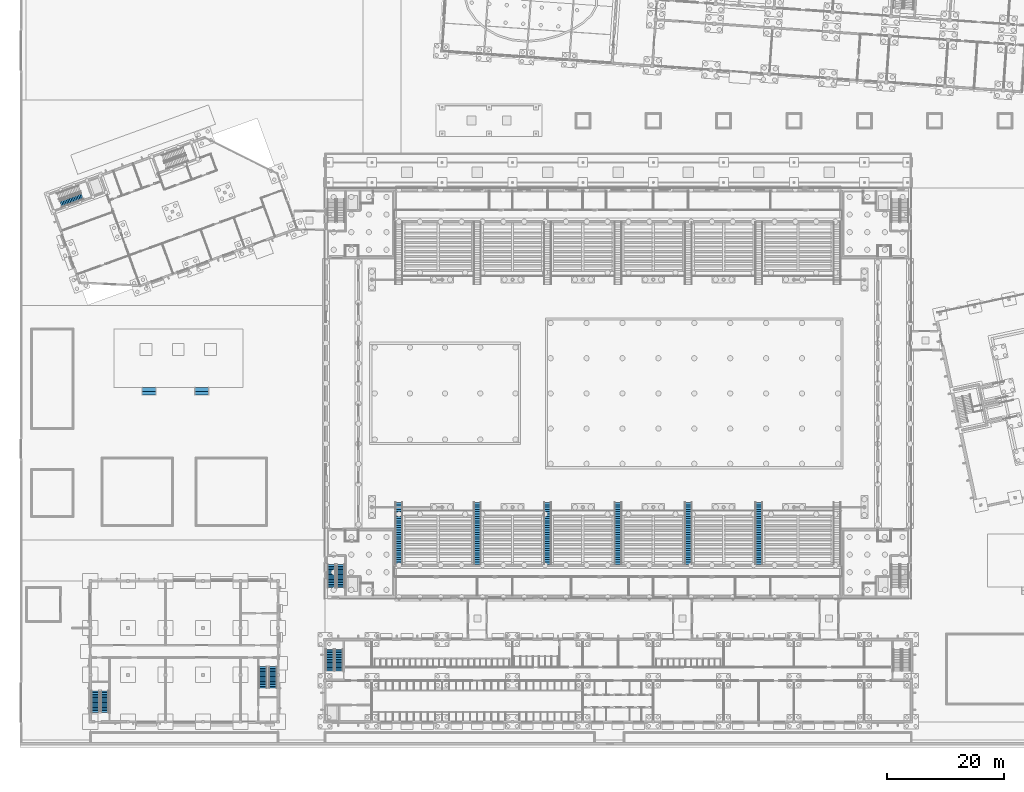
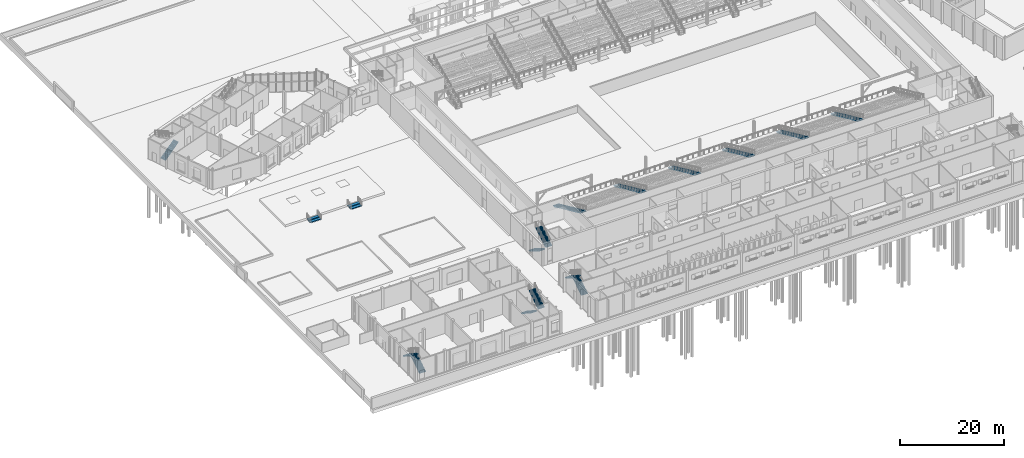
# One storey, part 112 of 157: 17 stair flights, 13 elements without a shape of their own.
"""IFC4 building model written with IfcOpenShell, lengths in metres."""

from ifc_helpers import new_model, si_unit, direction, frame, origin, place, context, subcontext, project, spatial, polyline, outline, extrude, material, type_object, element, aggregate, save


model = new_model("IFC4")

# Units and contexts
model_context = context("Model", 3, precision=1e-05, world=origin(), true_north=direction((0.0, 1.0)))
body_context = subcontext(model_context, "Body", "Model", "MODEL_VIEW")
ifc_project = project(units=[si_unit("LENGTHUNIT", "METRE"), si_unit("AREAUNIT", "SQUARE_METRE"), si_unit("VOLUMEUNIT", "CUBIC_METRE"), si_unit("PLANEANGLEUNIT", "RADIAN"), si_unit("MASSUNIT", "GRAM", prefix="KILO")], contexts=[model_context])

# Site, building, storey
site_placement = place(None, origin())
site = spatial("IfcSite", under=ifc_project, at=site_placement, CompositionType="ELEMENT")
building_placement = place(site_placement, origin())
building = spatial("IfcBuilding", under=site, at=building_placement, Name="Windward Yard Aquatics Centre", CompositionType="ELEMENT")
storey_placement = place(building_placement, origin())
storey = spatial("IfcBuildingStorey", under=building, at=storey_placement, Name="L00", CompositionType="ELEMENT", Elevation=0.0)

# Stair, stair flights
ifc_material_1 = material(Name="Concrete C35/45", Category="concrete")
stair_type_1 = type_object("IfcStairType", Name="C Village stair 1 dog-leg stair", PredefinedType="HALF_TURN_STAIR", material=ifc_material_1)
stair_1_placement = place(storey_placement, origin())
stair_1 = element("IfcStair", 1, at=stair_1_placement, inside=storey, type_object=stair_type_1, Name="L00 Village stair 1", PredefinedType="HALF_TURN_STAIR")
stair_flight_type_1 = type_object("IfcStairFlightType", Name="C Village stair 1 stair flight", PredefinedType="STRAIGHT", material=ifc_material_1)
stair_flight_1_placement = place(storey_placement, frame((54.39990234375, 13.699951171875, 0.0), z_axis=(0.0, 0.0, 1.0), x_axis=(0.0, 1.0, 0.0)))
stair_flight_1 = element("IfcStairFlight", 2, at=stair_flight_1_placement, type_object=stair_flight_type_1, Name="C-ST1 flight 1", NumberOfRisers=14, NumberOfTreads=13, PredefinedType="STRAIGHT", RiserHeight=0.178571429, TreadLength=0.28, context=body_context, shape_type="SweptSolid", body=[
    extrude(outline(polyline([(0.0, 0.0), (0.0, 0.178466796875), (0.280029296875, 0.178466796875), (0.280029296875, 0.357177734375), (0.56005859375, 0.357177734375), (0.56005859375, 0.53564453125), (0.840087890625, 0.53564453125), (0.840087890625, 0.71435546875), (1.1201171875, 0.71435546875), (1.1201171875, 0.892822265625), (1.39990234375, 0.892822265625), (1.39990234375, 1.071533203125), (1.679931640625, 1.071533203125), (1.679931640625, 1.25), (1.9599609375, 1.25), (1.9599609375, 1.428466796875), (2.239990234375, 1.428466796875), (2.239990234375, 1.607177734375), (2.52001953125, 1.607177734375), (2.52001953125, 1.78564453125), (2.800048828125, 1.78564453125), (2.800048828125, 1.96435546875), (3.080078125, 1.96435546875), (3.080078125, 2.142822265625), (3.360107421875, 2.142822265625), (3.360107421875, 2.321533203125), (3.639892578125, 2.321533203125), (3.639892578125, 2.5), (3.639892578125, 2.1435546875), (0.27880859375, 0.0), (0.0, 0.0)])), frame((0.0, 0.699951171875, 0.0), z_axis=(0.0, -1.0, 0.0), x_axis=(1.0, 0.0, 0.0)), (0.0, 0.0, 1.0), 1.39990234375),
])
stair_flight_2_placement = place(storey_placement, frame((52.85009765625, 17.340087890625, 2.5), z_axis=(0.0, 0.0, 1.0), x_axis=(0.0, -1.0, 0.0)))
stair_flight_2 = element("IfcStairFlight", 3, at=stair_flight_2_placement, type_object=stair_flight_type_1, Name="C-ST1 flight 2", NumberOfRisers=14, NumberOfTreads=13, PredefinedType="STRAIGHT", RiserHeight=0.178571429, TreadLength=0.28, context=body_context, shape_type="SweptSolid", body=[
    extrude(outline(polyline([(0.0, 0.0), (0.0, 0.178466796875), (0.280029296875, 0.178466796875), (0.280029296875, 0.357177734375), (0.56005859375, 0.357177734375), (0.56005859375, 0.53564453125), (0.840087890625, 0.53564453125), (0.840087890625, 0.71435546875), (1.1201171875, 0.71435546875), (1.1201171875, 0.892822265625), (1.39990234375, 0.892822265625), (1.39990234375, 1.071533203125), (1.679931640625, 1.071533203125), (1.679931640625, 1.25), (1.9599609375, 1.25), (1.9599609375, 1.428466796875), (2.239990234375, 1.428466796875), (2.239990234375, 1.607177734375), (2.52001953125, 1.607177734375), (2.52001953125, 1.78564453125), (2.800048828125, 1.78564453125), (2.800048828125, 1.96435546875), (3.080078125, 1.96435546875), (3.080078125, 2.142822265625), (3.360107421875, 2.142822265625), (3.360107421875, 2.321533203125), (3.639892578125, 2.321533203125), (3.639892578125, 2.5), (3.639892578125, 2.1435546875), (0.27880859375, 0.0), (0.0, 0.0)])), frame((0.0, 0.699951171875, 0.0), z_axis=(0.0, -1.0, 0.0), x_axis=(1.0, 0.0, 0.0)), (0.0, 0.0, 1.0), 1.39990234375),
])
aggregate(stair_1, [stair_flight_1, stair_flight_2])

# Stair, stair flight
ifc_material_2 = material(Name="Concrete C40/50", Category="concrete")
stair_type_2 = type_object("IfcStairType", Name="F stair 1200 half-turn Concrete C40/50", PredefinedType="HALF_TURN_STAIR", material=ifc_material_2)
stair_2_placement = place(storey_placement, origin())
stair_2 = element("IfcStair", 4, at=stair_2_placement, inside=storey, type_object=stair_type_2, Name="F.ST.L00.S1", PredefinedType="HALF_TURN_STAIR")
stair_flight_type_2 = type_object("IfcStairFlightType", Name="F stair flight 1200 Concrete C40/50", PredefinedType="STRAIGHT", material=ifc_material_2)
stair_flight_3_placement = place(storey_placement, frame((6.960205078125, 93.291015625, 0.0), z_axis=(0.0, 0.0, 1.0), x_axis=(0.939692620786, 0.342020143326, 0.0)))
stair_flight_3 = element("IfcStairFlight", 5, at=stair_flight_3_placement, type_object=stair_flight_type_2, Name="FS1 flight 1", NumberOfRisers=15, NumberOfTreads=14, PredefinedType="STRAIGHT", RiserHeight=0.166666667, TreadLength=0.28, context=body_context, shape_type="SweptSolid", body=[
    extrude(outline(polyline([(0.0, 0.0), (0.0, 0.166748046875), (0.280029296875, 0.166748046875), (0.280029296875, 0.333251953125), (0.56005859375, 0.333251953125), (0.56005859375, 0.5), (0.840087890625, 0.5), (0.840087890625, 0.666748046875), (1.1201171875, 0.666748046875), (1.1201171875, 0.833251953125), (1.39990234375, 0.833251953125), (1.39990234375, 1.0), (1.679931640625, 1.0), (1.679931640625, 1.166748046875), (1.9599609375, 1.166748046875), (1.9599609375, 1.333251953125), (2.239990234375, 1.333251953125), (2.239990234375, 1.5), (2.52001953125, 1.5), (2.52001953125, 1.666748046875), (2.800048828125, 1.666748046875), (2.800048828125, 1.833251953125), (3.080078125, 1.833251953125), (3.080078125, 2.0), (3.360107421875, 2.0), (3.360107421875, 2.166748046875), (3.639892578125, 2.166748046875), (3.639892578125, 2.333251953125), (3.919921875, 2.333251953125), (3.919921875, 2.5), (3.919921875, 2.158935546875), (0.29296875, 0.0), (0.0, 0.0)])), frame((0.0, 0.60009765625, 0.0), z_axis=(0.0, -1.0, 0.0), x_axis=(1.0, 0.0, 0.0)), (0.0, 0.0, 1.0), 1.199951171875),
])
aggregate(stair_2, [stair_flight_3])

stair_type_3 = type_object("IfcStairType", Name="H Aisle Stair Concrete C35/45 1250", PredefinedType="STRAIGHT_RUN_STAIR", material=ifc_material_1)
stair_3_placement = place(storey_placement, origin())
stair_3 = element("IfcStair", 6, at=stair_3_placement, inside=storey, type_object=stair_type_3, Name="Vomitory stair S1", PredefinedType="STRAIGHT_RUN_STAIR")
stair_flight_type_3 = type_object("IfcStairFlightType", Name="H Aisle Stair Flight Concrete C35/45 1250", PredefinedType="STRAIGHT", material=ifc_material_1)
stair_flight_4_placement = place(storey_placement, frame((64.625, 42.3896484375, 0.0), z_axis=(0.0, 0.0, 1.0), x_axis=(0.0, -1.0, 0.0)))
stair_flight_4 = element("IfcStairFlight", 7, at=stair_flight_4_placement, type_object=stair_flight_type_3, Name="ASS1 flight 1", NumberOfRisers=28, NumberOfTreads=27, PredefinedType="STRAIGHT", RiserHeight=0.178571429, TreadLength=0.39, context=body_context, shape_type="SweptSolid", body=[
    extrude(outline(polyline([(0.0, 0.0), (0.0, 0.178466796875), (0.389892578125, 0.178466796875), (0.389892578125, 0.357177734375), (0.780029296875, 0.357177734375), (0.780029296875, 0.53564453125), (1.169921875, 0.53564453125), (1.169921875, 0.71435546875), (1.56005859375, 0.71435546875), (1.56005859375, 0.892822265625), (1.949951171875, 0.892822265625), (1.949951171875, 1.071533203125), (2.340087890625, 1.071533203125), (2.340087890625, 1.25), (2.72998046875, 1.25), (2.72998046875, 1.428466796875), (3.1201171875, 1.428466796875), (3.1201171875, 1.607177734375), (3.510009765625, 1.607177734375), (3.510009765625, 1.78564453125), (3.89990234375, 1.78564453125), (3.89990234375, 1.96435546875), (4.2900390625, 1.96435546875), (4.2900390625, 2.142822265625), (4.679931640625, 2.142822265625), (4.679931640625, 2.321533203125), (5.070068359375, 2.321533203125), (5.070068359375, 2.5), (5.4599609375, 2.5), (5.4599609375, 2.678466796875), (5.85009765625, 2.678466796875), (5.85009765625, 2.857177734375), (6.239990234375, 2.857177734375), (6.239990234375, 3.03564453125), (6.6298828125, 3.03564453125), (6.6298828125, 3.21435546875), (7.02001953125, 3.21435546875), (7.02001953125, 3.392822265625), (7.409912109375, 3.392822265625), (7.409912109375, 3.571533203125), (7.800048828125, 3.571533203125), (7.800048828125, 3.75), (8.18994140625, 3.75), (8.18994140625, 3.928466796875), (8.580078125, 3.928466796875), (8.580078125, 4.107177734375), (8.969970703125, 4.107177734375), (8.969970703125, 4.28564453125), (9.360107421875, 4.28564453125), (9.360107421875, 4.46435546875), (9.75, 4.46435546875), (9.75, 4.642822265625), (10.139892578125, 4.642822265625), (10.139892578125, 4.821533203125), (10.530029296875, 4.821533203125), (10.530029296875, 5.0), (10.530029296875, 4.6015625), (0.480224609375, 0.0), (0.0, 0.0)])), frame((0.0, 0.625, 0.0), z_axis=(0.0, -1.0, 0.0), x_axis=(1.0, 0.0, 0.0)), (0.0, 0.0, 1.0), 1.25),
])
aggregate(stair_3, [stair_flight_4])

stair_4_placement = place(storey_placement, origin())
stair_4 = element("IfcStair", 8, at=stair_4_placement, inside=storey, type_object=stair_type_3, Name="Vomitory stair S2", PredefinedType="STRAIGHT_RUN_STAIR")
stair_flight_5_placement = place(storey_placement, frame((78.0, 42.3896484375, 0.0), z_axis=(0.0, 0.0, 1.0), x_axis=(0.0, -1.0, 0.0)))
stair_flight_5 = element("IfcStairFlight", 9, at=stair_flight_5_placement, type_object=stair_flight_type_3, Name="ASS2 flight 1", NumberOfRisers=28, NumberOfTreads=27, PredefinedType="STRAIGHT", RiserHeight=0.178571429, TreadLength=0.39, context=body_context, shape_type="SweptSolid", body=[
    extrude(outline(polyline([(0.0, 0.0), (0.0, 0.178466796875), (0.389892578125, 0.178466796875), (0.389892578125, 0.357177734375), (0.780029296875, 0.357177734375), (0.780029296875, 0.53564453125), (1.169921875, 0.53564453125), (1.169921875, 0.71435546875), (1.56005859375, 0.71435546875), (1.56005859375, 0.892822265625), (1.949951171875, 0.892822265625), (1.949951171875, 1.071533203125), (2.340087890625, 1.071533203125), (2.340087890625, 1.25), (2.72998046875, 1.25), (2.72998046875, 1.428466796875), (3.1201171875, 1.428466796875), (3.1201171875, 1.607177734375), (3.510009765625, 1.607177734375), (3.510009765625, 1.78564453125), (3.89990234375, 1.78564453125), (3.89990234375, 1.96435546875), (4.2900390625, 1.96435546875), (4.2900390625, 2.142822265625), (4.679931640625, 2.142822265625), (4.679931640625, 2.321533203125), (5.070068359375, 2.321533203125), (5.070068359375, 2.5), (5.4599609375, 2.5), (5.4599609375, 2.678466796875), (5.85009765625, 2.678466796875), (5.85009765625, 2.857177734375), (6.239990234375, 2.857177734375), (6.239990234375, 3.03564453125), (6.6298828125, 3.03564453125), (6.6298828125, 3.21435546875), (7.02001953125, 3.21435546875), (7.02001953125, 3.392822265625), (7.409912109375, 3.392822265625), (7.409912109375, 3.571533203125), (7.800048828125, 3.571533203125), (7.800048828125, 3.75), (8.18994140625, 3.75), (8.18994140625, 3.928466796875), (8.580078125, 3.928466796875), (8.580078125, 4.107177734375), (8.969970703125, 4.107177734375), (8.969970703125, 4.28564453125), (9.360107421875, 4.28564453125), (9.360107421875, 4.46435546875), (9.75, 4.46435546875), (9.75, 4.642822265625), (10.139892578125, 4.642822265625), (10.139892578125, 4.821533203125), (10.530029296875, 4.821533203125), (10.530029296875, 5.0), (10.530029296875, 4.6015625), (0.480224609375, 0.0), (0.0, 0.0)])), frame((0.0, 0.625, 0.0), z_axis=(0.0, -1.0, 0.0), x_axis=(1.0, 0.0, 0.0)), (0.0, 0.0, 1.0), 1.25),
])
aggregate(stair_4, [stair_flight_5])

stair_5_placement = place(storey_placement, origin())
stair_5 = element("IfcStair", 10, at=stair_5_placement, inside=storey, type_object=stair_type_3, Name="Vomitory stair S3", PredefinedType="STRAIGHT_RUN_STAIR")
stair_flight_6_placement = place(storey_placement, frame((90.0, 42.3896484375, 0.0), z_axis=(0.0, 0.0, 1.0), x_axis=(0.0, -1.0, 0.0)))
stair_flight_6 = element("IfcStairFlight", 11, at=stair_flight_6_placement, type_object=stair_flight_type_3, Name="ASS3 flight 1", NumberOfRisers=28, NumberOfTreads=27, PredefinedType="STRAIGHT", RiserHeight=0.178571429, TreadLength=0.39, context=body_context, shape_type="SweptSolid", body=[
    extrude(outline(polyline([(0.0, 0.0), (0.0, 0.178466796875), (0.389892578125, 0.178466796875), (0.389892578125, 0.357177734375), (0.780029296875, 0.357177734375), (0.780029296875, 0.53564453125), (1.169921875, 0.53564453125), (1.169921875, 0.71435546875), (1.56005859375, 0.71435546875), (1.56005859375, 0.892822265625), (1.949951171875, 0.892822265625), (1.949951171875, 1.071533203125), (2.340087890625, 1.071533203125), (2.340087890625, 1.25), (2.72998046875, 1.25), (2.72998046875, 1.428466796875), (3.1201171875, 1.428466796875), (3.1201171875, 1.607177734375), (3.510009765625, 1.607177734375), (3.510009765625, 1.78564453125), (3.89990234375, 1.78564453125), (3.89990234375, 1.96435546875), (4.2900390625, 1.96435546875), (4.2900390625, 2.142822265625), (4.679931640625, 2.142822265625), (4.679931640625, 2.321533203125), (5.070068359375, 2.321533203125), (5.070068359375, 2.5), (5.4599609375, 2.5), (5.4599609375, 2.678466796875), (5.85009765625, 2.678466796875), (5.85009765625, 2.857177734375), (6.239990234375, 2.857177734375), (6.239990234375, 3.03564453125), (6.6298828125, 3.03564453125), (6.6298828125, 3.21435546875), (7.02001953125, 3.21435546875), (7.02001953125, 3.392822265625), (7.409912109375, 3.392822265625), (7.409912109375, 3.571533203125), (7.800048828125, 3.571533203125), (7.800048828125, 3.75), (8.18994140625, 3.75), (8.18994140625, 3.928466796875), (8.580078125, 3.928466796875), (8.580078125, 4.107177734375), (8.969970703125, 4.107177734375), (8.969970703125, 4.28564453125), (9.360107421875, 4.28564453125), (9.360107421875, 4.46435546875), (9.75, 4.46435546875), (9.75, 4.642822265625), (10.139892578125, 4.642822265625), (10.139892578125, 4.821533203125), (10.530029296875, 4.821533203125), (10.530029296875, 5.0), (10.530029296875, 4.6015625), (0.480224609375, 0.0), (0.0, 0.0)])), frame((0.0, 0.625, 0.0), z_axis=(0.0, -1.0, 0.0), x_axis=(1.0, 0.0, 0.0)), (0.0, 0.0, 1.0), 1.25),
])
aggregate(stair_5, [stair_flight_6])

stair_6_placement = place(storey_placement, origin())
stair_6 = element("IfcStair", 12, at=stair_6_placement, inside=storey, type_object=stair_type_3, Name="Vomitory stair S4", PredefinedType="STRAIGHT_RUN_STAIR")
stair_flight_7_placement = place(storey_placement, frame((102.0, 42.3896484375, 0.0), z_axis=(0.0, 0.0, 1.0), x_axis=(0.0, -1.0, 0.0)))
stair_flight_7 = element("IfcStairFlight", 13, at=stair_flight_7_placement, type_object=stair_flight_type_3, Name="ASS4 flight 1", NumberOfRisers=28, NumberOfTreads=27, PredefinedType="STRAIGHT", RiserHeight=0.178571429, TreadLength=0.39, context=body_context, shape_type="SweptSolid", body=[
    extrude(outline(polyline([(0.0, 0.0), (0.0, 0.178466796875), (0.389892578125, 0.178466796875), (0.389892578125, 0.357177734375), (0.780029296875, 0.357177734375), (0.780029296875, 0.53564453125), (1.169921875, 0.53564453125), (1.169921875, 0.71435546875), (1.56005859375, 0.71435546875), (1.56005859375, 0.892822265625), (1.949951171875, 0.892822265625), (1.949951171875, 1.071533203125), (2.340087890625, 1.071533203125), (2.340087890625, 1.25), (2.72998046875, 1.25), (2.72998046875, 1.428466796875), (3.1201171875, 1.428466796875), (3.1201171875, 1.607177734375), (3.510009765625, 1.607177734375), (3.510009765625, 1.78564453125), (3.89990234375, 1.78564453125), (3.89990234375, 1.96435546875), (4.2900390625, 1.96435546875), (4.2900390625, 2.142822265625), (4.679931640625, 2.142822265625), (4.679931640625, 2.321533203125), (5.070068359375, 2.321533203125), (5.070068359375, 2.5), (5.4599609375, 2.5), (5.4599609375, 2.678466796875), (5.85009765625, 2.678466796875), (5.85009765625, 2.857177734375), (6.239990234375, 2.857177734375), (6.239990234375, 3.03564453125), (6.6298828125, 3.03564453125), (6.6298828125, 3.21435546875), (7.02001953125, 3.21435546875), (7.02001953125, 3.392822265625), (7.409912109375, 3.392822265625), (7.409912109375, 3.571533203125), (7.800048828125, 3.571533203125), (7.800048828125, 3.75), (8.18994140625, 3.75), (8.18994140625, 3.928466796875), (8.580078125, 3.928466796875), (8.580078125, 4.107177734375), (8.969970703125, 4.107177734375), (8.969970703125, 4.28564453125), (9.360107421875, 4.28564453125), (9.360107421875, 4.46435546875), (9.75, 4.46435546875), (9.75, 4.642822265625), (10.139892578125, 4.642822265625), (10.139892578125, 4.821533203125), (10.530029296875, 4.821533203125), (10.530029296875, 5.0), (10.530029296875, 4.6015625), (0.480224609375, 0.0), (0.0, 0.0)])), frame((0.0, 0.625, 0.0), z_axis=(0.0, -1.0, 0.0), x_axis=(1.0, 0.0, 0.0)), (0.0, 0.0, 1.0), 1.25),
])
aggregate(stair_6, [stair_flight_7])

stair_7_placement = place(storey_placement, origin())
stair_7 = element("IfcStair", 14, at=stair_7_placement, inside=storey, type_object=stair_type_3, Name="Vomitory stair S5", PredefinedType="STRAIGHT_RUN_STAIR")
stair_flight_8_placement = place(storey_placement, frame((114.0, 42.3896484375, 0.0), z_axis=(0.0, 0.0, 1.0), x_axis=(0.0, -1.0, 0.0)))
stair_flight_8 = element("IfcStairFlight", 15, at=stair_flight_8_placement, type_object=stair_flight_type_3, Name="ASS5 flight 1", NumberOfRisers=28, NumberOfTreads=27, PredefinedType="STRAIGHT", RiserHeight=0.178571429, TreadLength=0.39, context=body_context, shape_type="SweptSolid", body=[
    extrude(outline(polyline([(0.0, 0.0), (0.0, 0.178466796875), (0.389892578125, 0.178466796875), (0.389892578125, 0.357177734375), (0.780029296875, 0.357177734375), (0.780029296875, 0.53564453125), (1.169921875, 0.53564453125), (1.169921875, 0.71435546875), (1.56005859375, 0.71435546875), (1.56005859375, 0.892822265625), (1.949951171875, 0.892822265625), (1.949951171875, 1.071533203125), (2.340087890625, 1.071533203125), (2.340087890625, 1.25), (2.72998046875, 1.25), (2.72998046875, 1.428466796875), (3.1201171875, 1.428466796875), (3.1201171875, 1.607177734375), (3.510009765625, 1.607177734375), (3.510009765625, 1.78564453125), (3.89990234375, 1.78564453125), (3.89990234375, 1.96435546875), (4.2900390625, 1.96435546875), (4.2900390625, 2.142822265625), (4.679931640625, 2.142822265625), (4.679931640625, 2.321533203125), (5.070068359375, 2.321533203125), (5.070068359375, 2.5), (5.4599609375, 2.5), (5.4599609375, 2.678466796875), (5.85009765625, 2.678466796875), (5.85009765625, 2.857177734375), (6.239990234375, 2.857177734375), (6.239990234375, 3.03564453125), (6.6298828125, 3.03564453125), (6.6298828125, 3.21435546875), (7.02001953125, 3.21435546875), (7.02001953125, 3.392822265625), (7.409912109375, 3.392822265625), (7.409912109375, 3.571533203125), (7.800048828125, 3.571533203125), (7.800048828125, 3.75), (8.18994140625, 3.75), (8.18994140625, 3.928466796875), (8.580078125, 3.928466796875), (8.580078125, 4.107177734375), (8.969970703125, 4.107177734375), (8.969970703125, 4.28564453125), (9.360107421875, 4.28564453125), (9.360107421875, 4.46435546875), (9.75, 4.46435546875), (9.75, 4.642822265625), (10.139892578125, 4.642822265625), (10.139892578125, 4.821533203125), (10.530029296875, 4.821533203125), (10.530029296875, 5.0), (10.530029296875, 4.6015625), (0.480224609375, 0.0), (0.0, 0.0)])), frame((0.0, 0.625, 0.0), z_axis=(0.0, -1.0, 0.0), x_axis=(1.0, 0.0, 0.0)), (0.0, 0.0, 1.0), 1.25),
])
aggregate(stair_7, [stair_flight_8])

stair_8_placement = place(storey_placement, origin())
stair_8 = element("IfcStair", 16, at=stair_8_placement, inside=storey, type_object=stair_type_3, Name="Vomitory stair S6", PredefinedType="STRAIGHT_RUN_STAIR")
stair_flight_9_placement = place(storey_placement, frame((126.0, 42.3896484375, 0.0), z_axis=(0.0, 0.0, 1.0), x_axis=(0.0, -1.0, 0.0)))
stair_flight_9 = element("IfcStairFlight", 17, at=stair_flight_9_placement, type_object=stair_flight_type_3, Name="ASS6 flight 1", NumberOfRisers=28, NumberOfTreads=27, PredefinedType="STRAIGHT", RiserHeight=0.178571429, TreadLength=0.39, context=body_context, shape_type="SweptSolid", body=[
    extrude(outline(polyline([(0.0, 0.0), (0.0, 0.178466796875), (0.389892578125, 0.178466796875), (0.389892578125, 0.357177734375), (0.780029296875, 0.357177734375), (0.780029296875, 0.53564453125), (1.169921875, 0.53564453125), (1.169921875, 0.71435546875), (1.56005859375, 0.71435546875), (1.56005859375, 0.892822265625), (1.949951171875, 0.892822265625), (1.949951171875, 1.071533203125), (2.340087890625, 1.071533203125), (2.340087890625, 1.25), (2.72998046875, 1.25), (2.72998046875, 1.428466796875), (3.1201171875, 1.428466796875), (3.1201171875, 1.607177734375), (3.510009765625, 1.607177734375), (3.510009765625, 1.78564453125), (3.89990234375, 1.78564453125), (3.89990234375, 1.96435546875), (4.2900390625, 1.96435546875), (4.2900390625, 2.142822265625), (4.679931640625, 2.142822265625), (4.679931640625, 2.321533203125), (5.070068359375, 2.321533203125), (5.070068359375, 2.5), (5.4599609375, 2.5), (5.4599609375, 2.678466796875), (5.85009765625, 2.678466796875), (5.85009765625, 2.857177734375), (6.239990234375, 2.857177734375), (6.239990234375, 3.03564453125), (6.6298828125, 3.03564453125), (6.6298828125, 3.21435546875), (7.02001953125, 3.21435546875), (7.02001953125, 3.392822265625), (7.409912109375, 3.392822265625), (7.409912109375, 3.571533203125), (7.800048828125, 3.571533203125), (7.800048828125, 3.75), (8.18994140625, 3.75), (8.18994140625, 3.928466796875), (8.580078125, 3.928466796875), (8.580078125, 4.107177734375), (8.969970703125, 4.107177734375), (8.969970703125, 4.28564453125), (9.360107421875, 4.28564453125), (9.360107421875, 4.46435546875), (9.75, 4.46435546875), (9.75, 4.642822265625), (10.139892578125, 4.642822265625), (10.139892578125, 4.821533203125), (10.530029296875, 4.821533203125), (10.530029296875, 5.0), (10.530029296875, 4.6015625), (0.480224609375, 0.0), (0.0, 0.0)])), frame((0.0, 0.625, 0.0), z_axis=(0.0, -1.0, 0.0), x_axis=(1.0, 0.0, 0.0)), (0.0, 0.0, 1.0), 1.25),
])
aggregate(stair_8, [stair_flight_9])

# Stair, stair flights
stair_type_4 = type_object("IfcStairType", Name="H Core Stair Concrete C35/45 1400", PredefinedType="HALF_TURN_STAIR", material=ifc_material_1)
stair_9_placement = place(storey_placement, origin())
stair_9 = element("IfcStair", 18, at=stair_9_placement, inside=storey, type_object=stair_type_4, Name="L00 Stair SW", PredefinedType="HALF_TURN_STAIR")
stair_flight_type_4 = type_object("IfcStairFlightType", Name="H Core Stair Flight Concrete C35/45 1400", PredefinedType="STRAIGHT", material=ifc_material_1)
stair_flight_10_placement = place(storey_placement, frame((53.14990234375, 31.800048828125, 0.0), z_axis=(0.0, 0.0, 1.0), x_axis=(0.0, -1.0, 0.0)))
stair_flight_10 = element("IfcStairFlight", 19, at=stair_flight_10_placement, type_object=stair_flight_type_4, Name="ST1 flight 1", NumberOfRisers=15, NumberOfTreads=14, PredefinedType="STRAIGHT", RiserHeight=0.166666667, TreadLength=0.28, context=body_context, shape_type="SweptSolid", body=[
    extrude(outline(polyline([(0.0, 0.0), (0.0, 0.166748046875), (0.280029296875, 0.166748046875), (0.280029296875, 0.333251953125), (0.56005859375, 0.333251953125), (0.56005859375, 0.5), (0.840087890625, 0.5), (0.840087890625, 0.666748046875), (1.1201171875, 0.666748046875), (1.1201171875, 0.833251953125), (1.39990234375, 0.833251953125), (1.39990234375, 1.0), (1.679931640625, 1.0), (1.679931640625, 1.166748046875), (1.9599609375, 1.166748046875), (1.9599609375, 1.333251953125), (2.239990234375, 1.333251953125), (2.239990234375, 1.5), (2.52001953125, 1.5), (2.52001953125, 1.666748046875), (2.800048828125, 1.666748046875), (2.800048828125, 1.833251953125), (3.080078125, 1.833251953125), (3.080078125, 2.0), (3.360107421875, 2.0), (3.360107421875, 2.166748046875), (3.639892578125, 2.166748046875), (3.639892578125, 2.333251953125), (3.919921875, 2.333251953125), (3.919921875, 2.5), (3.919921875, 2.158935546875), (0.29296875, 0.0), (0.0, 0.0)])), frame((0.0, 0.699951171875, 0.0), z_axis=(0.0, -1.0, 0.0), x_axis=(1.0, 0.0, 0.0)), (0.0, 0.0, 1.0), 1.39990234375),
])
stair_flight_11_placement = place(storey_placement, frame((54.699951171875, 27.8798828125, 2.5), z_axis=(0.0, 0.0, 1.0), x_axis=(0.0, 1.0, 0.0)))
stair_flight_11 = element("IfcStairFlight", 20, at=stair_flight_11_placement, type_object=stair_flight_type_4, Name="ST1 flight 2", NumberOfRisers=15, NumberOfTreads=14, PredefinedType="STRAIGHT", RiserHeight=0.166666667, TreadLength=0.28, context=body_context, shape_type="SweptSolid", body=[
    extrude(outline(polyline([(0.0, 0.0), (0.0, 0.166748046875), (0.280029296875, 0.166748046875), (0.280029296875, 0.333251953125), (0.56005859375, 0.333251953125), (0.56005859375, 0.5), (0.840087890625, 0.5), (0.840087890625, 0.666748046875), (1.1201171875, 0.666748046875), (1.1201171875, 0.833251953125), (1.39990234375, 0.833251953125), (1.39990234375, 1.0), (1.679931640625, 1.0), (1.679931640625, 1.166748046875), (1.9599609375, 1.166748046875), (1.9599609375, 1.333251953125), (2.239990234375, 1.333251953125), (2.239990234375, 1.5), (2.52001953125, 1.5), (2.52001953125, 1.666748046875), (2.800048828125, 1.666748046875), (2.800048828125, 1.833251953125), (3.080078125, 1.833251953125), (3.080078125, 2.0), (3.360107421875, 2.0), (3.360107421875, 2.166748046875), (3.639892578125, 2.166748046875), (3.639892578125, 2.333251953125), (3.919921875, 2.333251953125), (3.919921875, 2.5), (3.919921875, 2.158935546875), (0.29296875, 0.0), (0.0, 0.0)])), frame((0.0, 0.699951171875, 0.0), z_axis=(0.0, -1.0, 0.0), x_axis=(1.0, 0.0, 0.0)), (0.0, 0.0, 1.0), 1.39990234375),
])
aggregate(stair_9, [stair_flight_10, stair_flight_11])

stair_type_5 = type_object("IfcStairType", Name="P Plant stair 1 dog-leg stair", PredefinedType="HALF_TURN_STAIR", material=ifc_material_1)
stair_10_placement = place(storey_placement, origin())
stair_10 = element("IfcStair", 21, at=stair_10_placement, inside=storey, type_object=stair_type_5, Name="L00 Plant stair 1", PredefinedType="HALF_TURN_STAIR")
stair_flight_type_5 = type_object("IfcStairFlightType", Name="P Plant stair 1 stair flight", PredefinedType="STRAIGHT", material=ifc_material_1)
stair_flight_12_placement = place(storey_placement, frame((14.449951171875, 6.60009765625, 0.0), z_axis=(0.0, 0.0, 1.0), x_axis=(0.0, 1.0, 0.0)))
stair_flight_12 = element("IfcStairFlight", 22, at=stair_flight_12_placement, type_object=stair_flight_type_5, Name="P-ST1 flight 1", NumberOfRisers=14, NumberOfTreads=13, PredefinedType="STRAIGHT", RiserHeight=0.178571429, TreadLength=0.28, context=body_context, shape_type="SweptSolid", body=[
    extrude(outline(polyline([(0.0, 0.0), (0.0, 0.178466796875), (0.280029296875, 0.178466796875), (0.280029296875, 0.357177734375), (0.56005859375, 0.357177734375), (0.56005859375, 0.53564453125), (0.840087890625, 0.53564453125), (0.840087890625, 0.71435546875), (1.1201171875, 0.71435546875), (1.1201171875, 0.892822265625), (1.39990234375, 0.892822265625), (1.39990234375, 1.071533203125), (1.679931640625, 1.071533203125), (1.679931640625, 1.25), (1.9599609375, 1.25), (1.9599609375, 1.428466796875), (2.239990234375, 1.428466796875), (2.239990234375, 1.607177734375), (2.52001953125, 1.607177734375), (2.52001953125, 1.78564453125), (2.800048828125, 1.78564453125), (2.800048828125, 1.96435546875), (3.080078125, 1.96435546875), (3.080078125, 2.142822265625), (3.360107421875, 2.142822265625), (3.360107421875, 2.321533203125), (3.639892578125, 2.321533203125), (3.639892578125, 2.5), (3.639892578125, 2.1435546875), (0.27880859375, 0.0), (0.0, 0.0)])), frame((0.0, 0.699951171875, 0.0), z_axis=(0.0, -1.0, 0.0), x_axis=(1.0, 0.0, 0.0)), (0.0, 0.0, 1.0), 1.39990234375),
])
stair_flight_13_placement = place(storey_placement, frame((12.85009765625, 10.239990234375, 2.5), z_axis=(0.0, 0.0, 1.0), x_axis=(0.0, -1.0, 0.0)))
stair_flight_13 = element("IfcStairFlight", 23, at=stair_flight_13_placement, type_object=stair_flight_type_5, Name="P-ST1 flight 2", NumberOfRisers=14, NumberOfTreads=13, PredefinedType="STRAIGHT", RiserHeight=0.178571429, TreadLength=0.28, context=body_context, shape_type="SweptSolid", body=[
    extrude(outline(polyline([(0.0, 0.0), (0.0, 0.178466796875), (0.280029296875, 0.178466796875), (0.280029296875, 0.357177734375), (0.56005859375, 0.357177734375), (0.56005859375, 0.53564453125), (0.840087890625, 0.53564453125), (0.840087890625, 0.71435546875), (1.1201171875, 0.71435546875), (1.1201171875, 0.892822265625), (1.39990234375, 0.892822265625), (1.39990234375, 1.071533203125), (1.679931640625, 1.071533203125), (1.679931640625, 1.25), (1.9599609375, 1.25), (1.9599609375, 1.428466796875), (2.239990234375, 1.428466796875), (2.239990234375, 1.607177734375), (2.52001953125, 1.607177734375), (2.52001953125, 1.78564453125), (2.800048828125, 1.78564453125), (2.800048828125, 1.96435546875), (3.080078125, 1.96435546875), (3.080078125, 2.142822265625), (3.360107421875, 2.142822265625), (3.360107421875, 2.321533203125), (3.639892578125, 2.321533203125), (3.639892578125, 2.5), (3.639892578125, 2.1435546875), (0.27880859375, 0.0), (0.0, 0.0)])), frame((0.0, 0.699951171875, 0.0), z_axis=(0.0, -1.0, 0.0), x_axis=(1.0, 0.0, 0.0)), (0.0, 0.0, 1.0), 1.39990234375),
])
aggregate(stair_10, [stair_flight_12, stair_flight_13])

stair_type_6 = type_object("IfcStairType", Name="P Plant stair 2 dog-leg stair", PredefinedType="HALF_TURN_STAIR", material=ifc_material_1)
stair_11_placement = place(storey_placement, origin())
stair_11 = element("IfcStair", 24, at=stair_11_placement, inside=storey, type_object=stair_type_6, Name="L00 Plant stair 2", PredefinedType="HALF_TURN_STAIR")
stair_flight_type_6 = type_object("IfcStairFlightType", Name="P Plant stair 2 stair flight", PredefinedType="STRAIGHT", material=ifc_material_1)
stair_flight_14_placement = place(storey_placement, frame((41.449951171875, 14.39990234375, 0.0), z_axis=(0.0, 0.0, 1.0), x_axis=(0.0, -1.0, 0.0)))
stair_flight_14 = element("IfcStairFlight", 25, at=stair_flight_14_placement, type_object=stair_flight_type_6, Name="P-ST2 flight 1", NumberOfRisers=14, NumberOfTreads=13, PredefinedType="STRAIGHT", RiserHeight=0.178571429, TreadLength=0.28, context=body_context, shape_type="SweptSolid", body=[
    extrude(outline(polyline([(0.0, 0.0), (0.0, 0.178466796875), (0.280029296875, 0.178466796875), (0.280029296875, 0.357177734375), (0.56005859375, 0.357177734375), (0.56005859375, 0.53564453125), (0.840087890625, 0.53564453125), (0.840087890625, 0.71435546875), (1.1201171875, 0.71435546875), (1.1201171875, 0.892822265625), (1.39990234375, 0.892822265625), (1.39990234375, 1.071533203125), (1.679931640625, 1.071533203125), (1.679931640625, 1.25), (1.9599609375, 1.25), (1.9599609375, 1.428466796875), (2.239990234375, 1.428466796875), (2.239990234375, 1.607177734375), (2.52001953125, 1.607177734375), (2.52001953125, 1.78564453125), (2.800048828125, 1.78564453125), (2.800048828125, 1.96435546875), (3.080078125, 1.96435546875), (3.080078125, 2.142822265625), (3.360107421875, 2.142822265625), (3.360107421875, 2.321533203125), (3.639892578125, 2.321533203125), (3.639892578125, 2.5), (3.639892578125, 2.1435546875), (0.27880859375, 0.0), (0.0, 0.0)])), frame((0.0, 0.699951171875, 0.0), z_axis=(0.0, -1.0, 0.0), x_axis=(1.0, 0.0, 0.0)), (0.0, 0.0, 1.0), 1.39990234375),
])
stair_flight_15_placement = place(storey_placement, frame((43.14990234375, 10.760009765625, 2.5), z_axis=(0.0, 0.0, 1.0), x_axis=(0.0, 1.0, 0.0)))
stair_flight_15 = element("IfcStairFlight", 26, at=stair_flight_15_placement, type_object=stair_flight_type_6, Name="P-ST2 flight 2", NumberOfRisers=14, NumberOfTreads=13, PredefinedType="STRAIGHT", RiserHeight=0.178571429, TreadLength=0.28, context=body_context, shape_type="SweptSolid", body=[
    extrude(outline(polyline([(0.0, 0.0), (0.0, 0.178466796875), (0.280029296875, 0.178466796875), (0.280029296875, 0.357177734375), (0.56005859375, 0.357177734375), (0.56005859375, 0.53564453125), (0.840087890625, 0.53564453125), (0.840087890625, 0.71435546875), (1.1201171875, 0.71435546875), (1.1201171875, 0.892822265625), (1.39990234375, 0.892822265625), (1.39990234375, 1.071533203125), (1.679931640625, 1.071533203125), (1.679931640625, 1.25), (1.9599609375, 1.25), (1.9599609375, 1.428466796875), (2.239990234375, 1.428466796875), (2.239990234375, 1.607177734375), (2.52001953125, 1.607177734375), (2.52001953125, 1.78564453125), (2.800048828125, 1.78564453125), (2.800048828125, 1.96435546875), (3.080078125, 1.96435546875), (3.080078125, 2.142822265625), (3.360107421875, 2.142822265625), (3.360107421875, 2.321533203125), (3.639892578125, 2.321533203125), (3.639892578125, 2.5), (3.639892578125, 2.1435546875), (0.27880859375, 0.0), (0.0, 0.0)])), frame((0.0, 0.699951171875, 0.0), z_axis=(0.0, -1.0, 0.0), x_axis=(1.0, 0.0, 0.0)), (0.0, 0.0, 1.0), 1.39990234375),
])
aggregate(stair_11, [stair_flight_14, stair_flight_15])

# Stair, stair flight
ifc_material_3 = material(Name="Concrete C30/37", Category="concrete")
stair_type_7 = type_object("IfcStairType", Name="X Garden Stair Concrete C30/37 2400", PredefinedType="STRAIGHT_RUN_STAIR", material=ifc_material_3)
stair_12_placement = place(storey_placement, origin())
stair_12 = element("IfcStair", 27, at=stair_12_placement, inside=storey, type_object=stair_type_7, Name="Learner terrace stair 1", PredefinedType="STRAIGHT_RUN_STAIR")
stair_flight_type_7 = type_object("IfcStairFlightType", Name="X Garden Stair Flight Concrete C30/37 2400", PredefinedType="STRAIGHT", material=ifc_material_3)
stair_flight_16_placement = place(storey_placement, frame((22.0, 60.699951171875, 0.0), z_axis=(0.0, 0.0, 1.0), x_axis=(0.0, 1.0, 0.0)))
stair_flight_16 = element("IfcStairFlight", 28, at=stair_flight_16_placement, type_object=stair_flight_type_7, Name="XST01 flight 1", NumberOfRisers=3, NumberOfTreads=2, PredefinedType="STRAIGHT", RiserHeight=0.15, TreadLength=0.65, context=body_context, shape_type="SweptSolid", body=[
    extrude(outline(polyline([(0.0, 0.0), (0.0, 0.14990234375), (0.64990234375, 0.14990234375), (0.64990234375, 0.300048828125), (1.300048828125, 0.300048828125), (1.300048828125, 0.449951171875), (1.300048828125, 0.146240234375), (0.666748046875, 0.0), (0.0, 0.0)])), frame((0.0, 1.199951171875, 0.0), z_axis=(0.0, -1.0, 0.0), x_axis=(1.0, 0.0, 0.0)), (0.0, 0.0, 1.0), 2.39990234375),
])
aggregate(stair_12, [stair_flight_16])

stair_13_placement = place(storey_placement, origin())
stair_13 = element("IfcStair", 29, at=stair_13_placement, inside=storey, type_object=stair_type_7, Name="Learner terrace stair 2", PredefinedType="STRAIGHT_RUN_STAIR")
stair_flight_17_placement = place(storey_placement, frame((31.0, 60.699951171875, 0.0), z_axis=(0.0, 0.0, 1.0), x_axis=(0.0, 1.0, 0.0)))
stair_flight_17 = element("IfcStairFlight", 30, at=stair_flight_17_placement, type_object=stair_flight_type_7, Name="XST02 flight 1", NumberOfRisers=3, NumberOfTreads=2, PredefinedType="STRAIGHT", RiserHeight=0.15, TreadLength=0.65, context=body_context, shape_type="SweptSolid", body=[
    extrude(outline(polyline([(0.0, 0.0), (0.0, 0.14990234375), (0.64990234375, 0.14990234375), (0.64990234375, 0.300048828125), (1.300048828125, 0.300048828125), (1.300048828125, 0.449951171875), (1.300048828125, 0.146240234375), (0.666748046875, 0.0), (0.0, 0.0)])), frame((0.0, 1.199951171875, 0.0), z_axis=(0.0, -1.0, 0.0), x_axis=(1.0, 0.0, 0.0)), (0.0, 0.0, 1.0), 2.39990234375),
])
aggregate(stair_13, [stair_flight_17])

save(model, "model.ifc")
